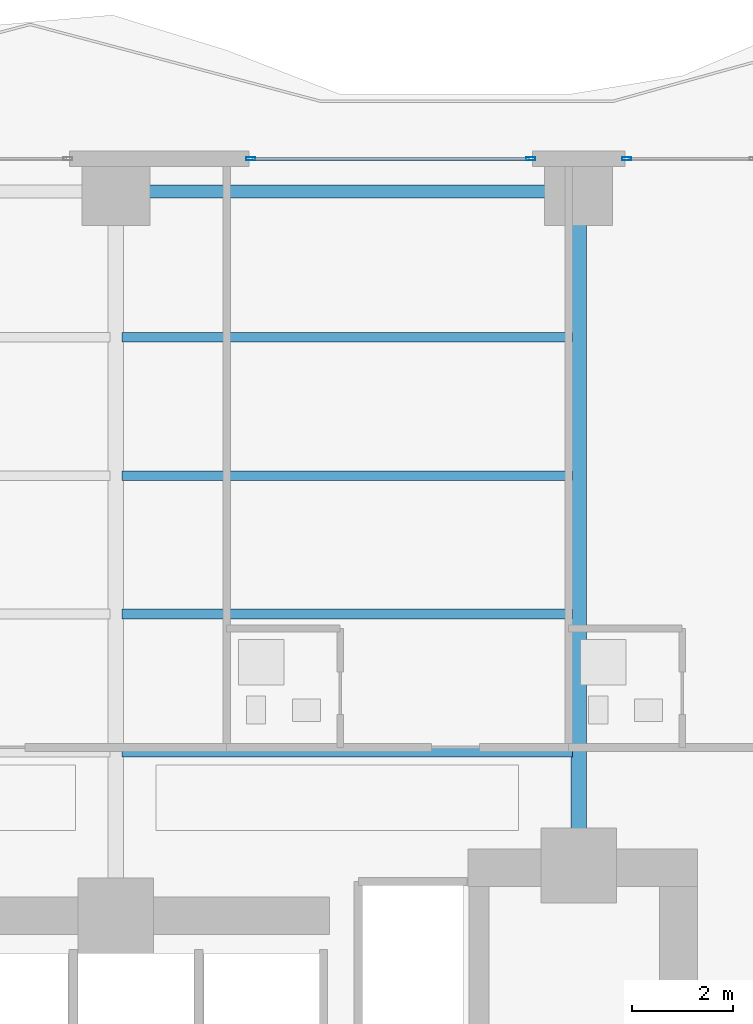
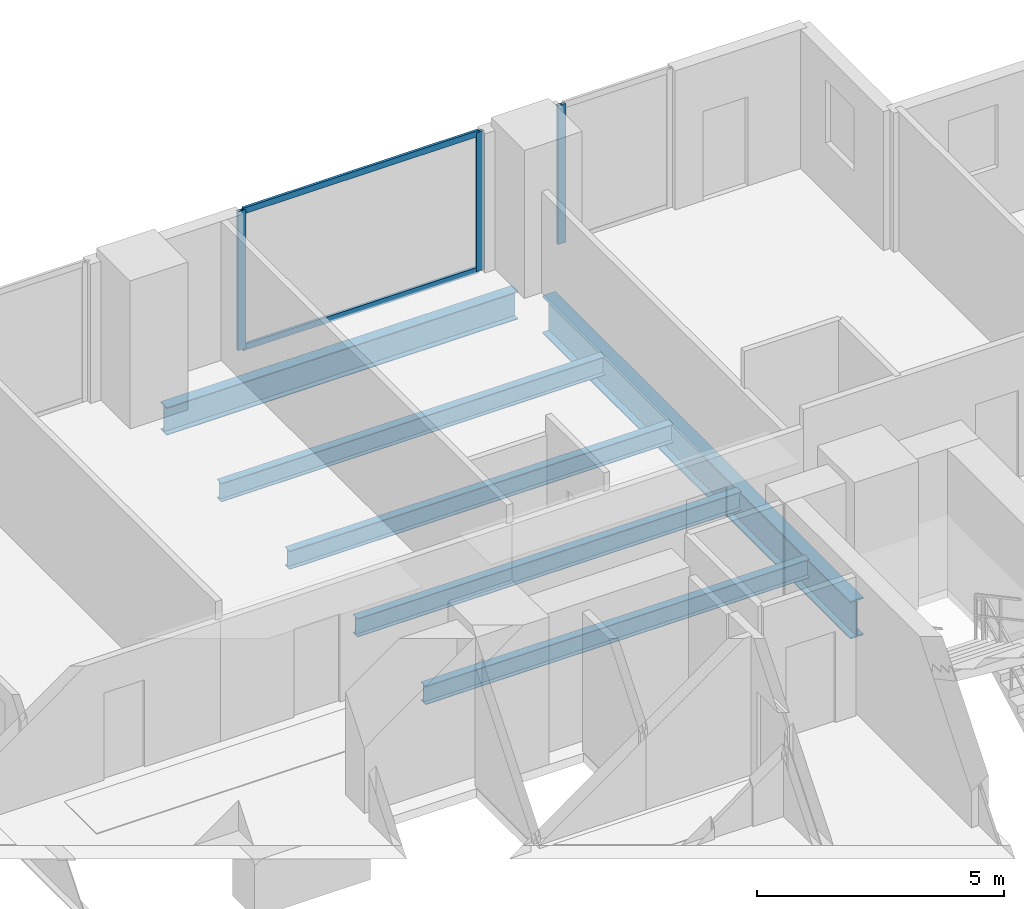
# One storey, part 18 of 30: 6 beams, 5 members, 2 elements without a shape of their own.
"""IFC4 building model written with IfcOpenShell, lengths in metres."""

from ifc_helpers import new_model, si_unit, direction, frame, origin, origin_2d, place, context, subcontext, project, spatial, hollow_rectangle, i_section, extrude, material, layer, layer_set, material_profile, profile_set, type_object, element, aggregate, save


model = new_model("IFC4")

# Units and contexts
model_context = context("Model", 3, precision=1e-05, world=origin(), true_north=direction((0.0, 1.0)))
body_context = subcontext(model_context, "Body", "Model", "MODEL_VIEW")
ifc_project = project(units=[si_unit("LENGTHUNIT", "METRE"), si_unit("AREAUNIT", "SQUARE_METRE"), si_unit("VOLUMEUNIT", "CUBIC_METRE"), si_unit("PLANEANGLEUNIT", "RADIAN"), si_unit("MASSUNIT", "GRAM", prefix="KILO")], contexts=[model_context])

# Site, building, storey
site_placement = place(None, origin())
site = spatial("IfcSite", under=ifc_project, at=site_placement, CompositionType="ELEMENT")
building_placement = place(site_placement, origin())
building = spatial("IfcBuilding", under=site, at=building_placement, Name="Zuhayl Quay Hotel", CompositionType="ELEMENT")
storey_placement = place(building_placement, frame((0.0, 0.0, 128.5)))
storey = spatial("IfcBuildingStorey", under=building, at=storey_placement, Name="L32", CompositionType="ELEMENT", Elevation=128.5)

# Beams
ifc_material_1 = material(Name="Steel ASTM A992 Grade 50", Category="steel")
ifc_material_profile_1 = material_profile(ifc_material_1, i_section(OverallWidth=0.25390625, OverallDepth=0.68310546875, WebThickness=0.012451171875, FlangeThickness=0.018798828125, at=origin_2d()), Name="W27X94")
ifc_profile_set_1 = profile_set([ifc_material_profile_1], Name="Steel ASTM A992 Grade 50")
beam_type_1 = type_object("IfcBeamType", Name="BM_B2_W27X94", PredefinedType="BEAM", material=ifc_profile_set_1)
beam_1_placement = place(storey_placement, frame((13.300048828125, 27.75, -0.5615234375), z_axis=(-1.0, 0.0, 0.0), x_axis=(0.0, -1.0, 0.0)))
element("IfcBeam", 1, at=beam_1_placement, inside=storey, type_object=beam_type_1, Name="L32 Floor Beam RG_L32_07", PredefinedType="BEAM", context=body_context, shape_type="SweptSolid", body=[
    extrude(i_section(OverallWidth=0.25390625, OverallDepth=0.68310546875, WebThickness=0.012451171875, FlangeThickness=0.018798828125, at=origin_2d()), origin(), (0.0, 0.0, 1.0), 8.199951171875),
])
ifc_material_profile_2 = material_profile(ifc_material_1, i_section(OverallWidth=0.18994140625, OverallDepth=0.45703125, WebThickness=0.009033203125, FlangeThickness=0.014404296875, at=origin_2d()), Name="W18X50")
ifc_profile_set_2 = profile_set([ifc_material_profile_2], Name="Steel ASTM A992 Grade 50")
beam_type_2 = type_object("IfcBeamType", Name="BM_J2_W18X50", PredefinedType="JOIST", material=ifc_profile_set_2)
for number, where, z_axis, x_axis, name in (
    (2, (4.718994140625, 16.60009765625, -0.448486328125), (1.0, 0.0, 0.0), (0.0, 1.0, 0.0), "L32 Floor Beam FJ_L32_1_3"),
    (3, (4.718994140625, 19.35009765625, -0.448486328125), (1.0, 0.0, 0.0), (0.0, 1.0, 0.0), "L32 Floor Beam FJ_L32_2_3"),
    (4, (4.718994140625, 22.10009765625, -0.448486328125), (1.0, 0.0, 0.0), (0.0, 1.0, 0.0), "L32 Floor Beam FJ_L32_3_3"),
    (5, (4.718994140625, 24.85009765625, -0.448486328125), (1.0, 0.0, 0.0), (0.0, 1.0, 0.0), "L32 Floor Beam FJ_L32_4_3"),
):
    element("IfcBeam", number, at=place(storey_placement, frame(where, z_axis=z_axis, x_axis=x_axis)), inside=storey, type_object=beam_type_2, Name=name, PredefinedType="JOIST", context=body_context, shape_type="SweptSolid", body=[
        extrude(i_section(OverallWidth=0.18994140625, OverallDepth=0.45703125, WebThickness=0.009033203125, FlangeThickness=0.014404296875, at=origin_2d()), origin(), (0.0, 0.0, 1.0), 8.9619140625),
    ])
ifc_material_profile_3 = material_profile(ifc_material_1, i_section(OverallWidth=0.306884765625, OverallDepth=0.927001953125, WebThickness=0.019287109375, FlangeThickness=0.031982421875, at=origin_2d()), Name="W36X194")
ifc_profile_set_3 = profile_set([ifc_material_profile_3], Name="Steel ASTM A992 Grade 50")
beam_type_3 = type_object("IfcBeamType", Name="BM_PG2_W36X194", PredefinedType="BEAM", material=ifc_profile_set_3)
beam_2_placement = place(storey_placement, frame((13.800048828125, 14.800048828125, -0.68359375), z_axis=(0.0, 1.0, 0.0), x_axis=(-1.0, 0.0, 0.0)))
element("IfcBeam", 6, at=beam_2_placement, inside=storey, type_object=beam_type_3, Name="L32 Floor Beam FG_N_L32_4", PredefinedType="BEAM", context=body_context, shape_type="SweptSolid", body=[
    extrude(i_section(OverallWidth=0.306884765625, OverallDepth=0.927001953125, WebThickness=0.019287109375, FlangeThickness=0.031982421875, at=origin_2d()), origin(), (0.0, 0.0, 1.0), 12.449951171875),
])

# Curtain wall, members
ifc_material_2 = material(Name="Anodised Aluminium 6063-T6", Category="aluminium")
ifc_layer = layer(ifc_material_2, 0.179931640625, Name="Anodised Aluminium 6063-T6", Category="aluminium")
ifc_layer_set = layer_set([ifc_layer], Name="Anodised Aluminium 6063-T6")
curtain_wall_type = type_object("IfcCurtainWallType", Name="CW_SYS_Z2", PredefinedType="USERDEFINED", material=ifc_layer_set)
curtain_wall_1_placement = place(storey_placement, origin())
curtain_wall_1 = element("IfcCurtainWall", 7, at=curtain_wall_1_placement, inside=storey, type_object=curtain_wall_type, Name="L32 Curtain Wall ENV_L32_N_CW5", ObjectType="UNITISED CURTAIN WALL", PredefinedType="USERDEFINED")
ifc_material_3 = material(Name="Black-anodised aluminium 6063-T6", Category="aluminium")
ifc_material_profile_4 = material_profile(ifc_material_3, hollow_rectangle(XDim=0.06494140625, YDim=0.179931640625, WallThickness=0.00341796875, at=origin_2d()), Name="ALU180X65")
ifc_profile_set_4 = profile_set([ifc_material_profile_4], Name="Black-anodised aluminium 6063-T6")
member_type_1 = type_object("IfcMemberType", Name="MB_CW_MUL_180", PredefinedType="MULLION", material=ifc_profile_set_4)
member_1_placement = place(storey_placement, frame((7.282470703125, 28.39990234375, 0.0), z_axis=(0.0, 0.0, 1.0), x_axis=(0.0, 1.0, 0.0)))
member_1 = element("IfcMember", 8, at=member_1_placement, type_object=member_type_1, Name="CW-Z2 mullion 1", PredefinedType="MULLION", context=body_context, shape_type="SweptSolid", body=[
    extrude(hollow_rectangle(XDim=0.06494140625, YDim=0.179931640625, WallThickness=0.00341796875, at=origin_2d()), origin(), (0.0, 0.0, 1.0), 3.429931640625),
])
member_2_placement = place(storey_placement, frame((12.847412109375, 28.39990234375, 0.0), z_axis=(0.0, 0.0, 1.0), x_axis=(0.0, 1.0, 0.0)))
member_2 = element("IfcMember", 9, at=member_2_placement, type_object=member_type_1, Name="CW-Z2 mullion 2", PredefinedType="MULLION", context=body_context, shape_type="SweptSolid", body=[
    extrude(hollow_rectangle(XDim=0.06494140625, YDim=0.179931640625, WallThickness=0.00341796875, at=origin_2d()), origin(), (0.0, 0.0, 1.0), 3.429931640625),
])

# Curtain wall, member
curtain_wall_2_placement = place(storey_placement, origin())
curtain_wall_2 = element("IfcCurtainWall", 10, at=curtain_wall_2_placement, inside=storey, type_object=curtain_wall_type, Name="L32 Curtain Wall ENV_L32_N_CW6", ObjectType="UNITISED CURTAIN WALL", PredefinedType="USERDEFINED")
member_3_placement = place(storey_placement, frame((14.75244140625, 28.39990234375, 0.0), z_axis=(0.0, 0.0, 1.0), x_axis=(0.0, 1.0, 0.0)))
member_3 = element("IfcMember", 11, at=member_3_placement, type_object=member_type_1, Name="CW-Z2 mullion 1", PredefinedType="MULLION", context=body_context, shape_type="SweptSolid", body=[
    extrude(hollow_rectangle(XDim=0.06494140625, YDim=0.179931640625, WallThickness=0.00341796875, at=origin_2d()), origin(), (0.0, 0.0, 1.0), 3.429931640625),
])
aggregate(curtain_wall_2, [member_3])

# Member
ifc_material_profile_5 = material_profile(ifc_material_3, hollow_rectangle(XDim=0.06005859375, YDim=0.14990234375, WallThickness=0.00341796875, at=origin_2d()), Name="ALU150X60")
ifc_profile_set_5 = profile_set([ifc_material_profile_5], Name="Black-anodised aluminium 6063-T6")
member_type_2 = type_object("IfcMemberType", Name="MB_CW_TRN_150", PredefinedType="USERDEFINED", material=ifc_profile_set_5)
member_4_placement = place(storey_placement, frame((7.31494140625, 28.39990234375, 0.030029296875), z_axis=(1.0, 0.0, 0.0), x_axis=(0.0, 1.0, 0.0)))
member_4 = element("IfcMember", 12, at=member_4_placement, type_object=member_type_2, Name="CW-Z2 transom 1.1", ObjectType="TRANSOM", PredefinedType="USERDEFINED", context=body_context, shape_type="SweptSolid", body=[
    extrude(hollow_rectangle(XDim=0.06005859375, YDim=0.14990234375, WallThickness=0.00341796875, at=origin_2d()), origin(), (0.0, 0.0, 1.0), 5.5),
])

member_5_placement = place(storey_placement, frame((7.31494140625, 28.39990234375, 3.39990234375), z_axis=(1.0, 0.0, 0.0), x_axis=(0.0, 1.0, 0.0)))
member_5 = element("IfcMember", 13, at=member_5_placement, type_object=member_type_2, Name="CW-Z2 transom 1.2", ObjectType="TRANSOM", PredefinedType="USERDEFINED", context=body_context, shape_type="SweptSolid", body=[
    extrude(hollow_rectangle(XDim=0.06005859375, YDim=0.14990234375, WallThickness=0.00341796875, at=origin_2d()), origin(), (0.0, 0.0, 1.0), 5.5),
])

aggregate(curtain_wall_1, [member_1, member_2, member_4, member_5])

save(model, "model.ifc")
